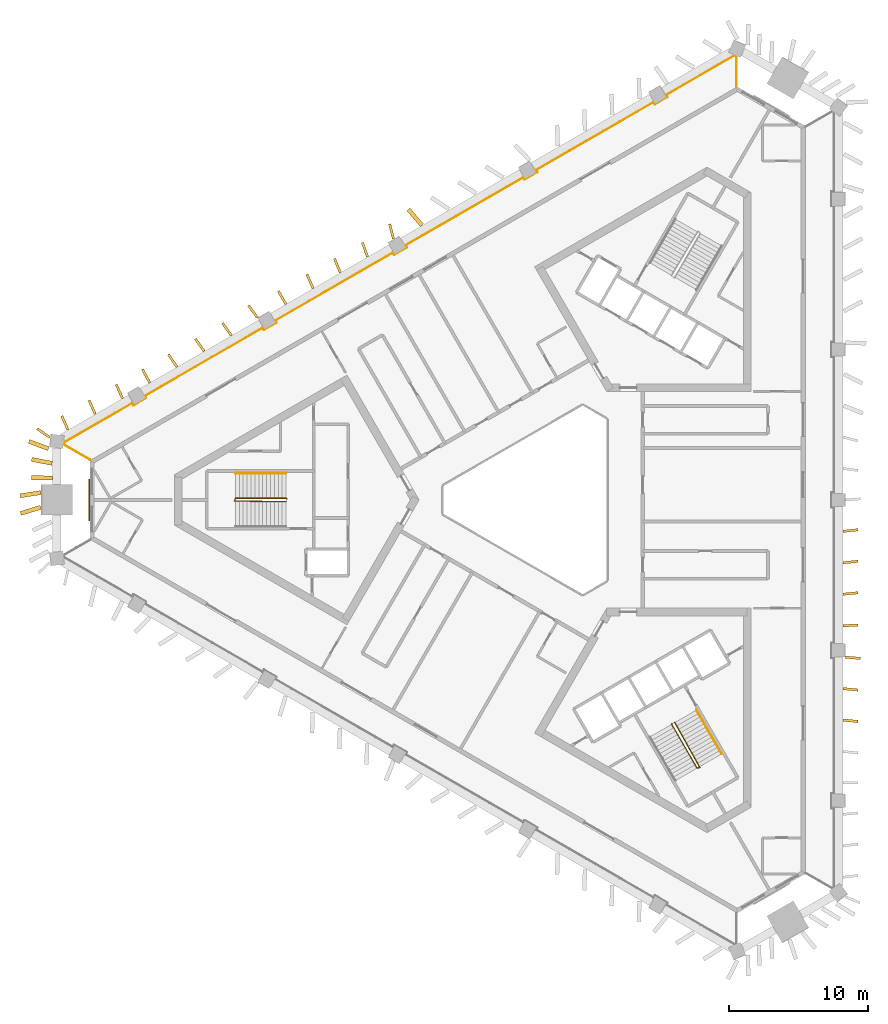
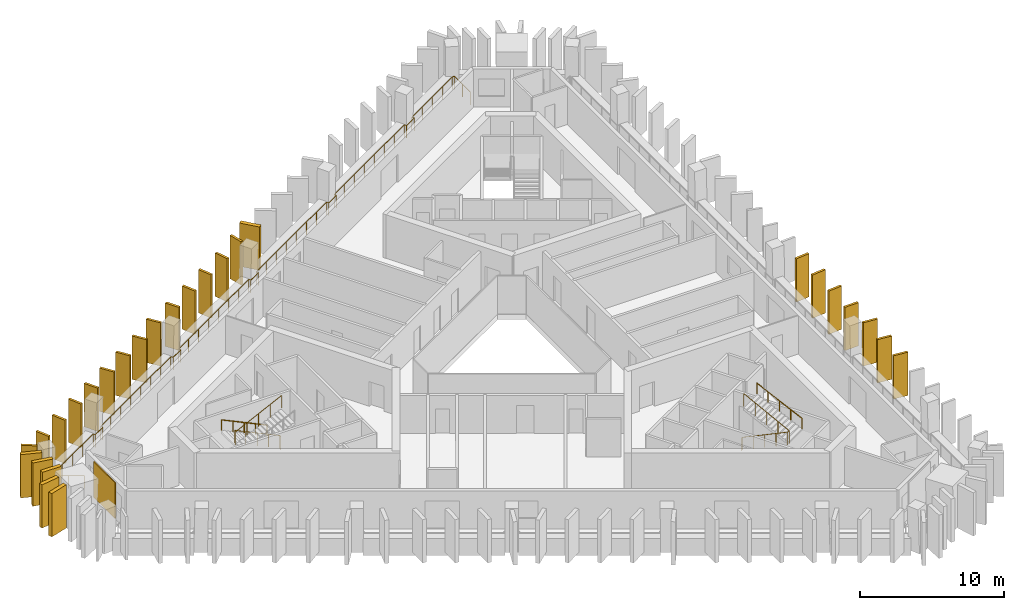
# One storey, part 8 of 9: 27 shading devices, 5 railings, 1 covering.
"""IFC4 building model written with IfcOpenShell, lengths in metres."""

from ifc_helpers import new_model, si_unit, direction, frame, frame_2d, origin, origin_2d, place, context, subcontext, project, spatial, rectangle, circle, extrude, material, layer, layer_set, type_object, element, save


model = new_model("IFC4")

# Units and contexts
model_context = context("Model", 3, precision=1e-05, world=origin(), true_north=direction((0.0, 1.0)))
body_context = subcontext(model_context, "Body", "Model", "MODEL_VIEW")
ifc_project = project(units=[si_unit("LENGTHUNIT", "METRE"), si_unit("AREAUNIT", "SQUARE_METRE"), si_unit("VOLUMEUNIT", "CUBIC_METRE"), si_unit("PLANEANGLEUNIT", "RADIAN"), si_unit("MASSUNIT", "GRAM", prefix="KILO")], contexts=[model_context])

# Site, building, storey
site_placement = place(None, origin())
site = spatial("IfcSite", under=ifc_project, at=site_placement, CompositionType="ELEMENT")
building_placement = place(site_placement, origin())
building = spatial("IfcBuilding", under=site, at=building_placement, Name="Jabali Bay Hotel Tower and Convention Centre", CompositionType="ELEMENT")
storey_placement = place(building_placement, frame((0.0, 0.0, 171.10009765625)))
storey = spatial("IfcBuildingStorey", under=building, at=storey_placement, Name="L41", CompositionType="ELEMENT", Elevation=171.10009765625)

# Railing
ifc_material_1 = material(Name="Glass", Category="glass")
railing_type_1 = type_object("IfcRailingType", Name="Loggia glass guard 1100", PredefinedType="BALUSTRADE", material=ifc_material_1)
railing_1_placement = place(storey_placement, frame((42.299560546875, 82.88818359375, 0.0)))
element("IfcRailing", 1, at=railing_1_placement, inside=storey, type_object=railing_type_1, Name="Loggia glass guard L41", PredefinedType="BALUSTRADE", context=body_context, shape_type="SweptSolid", body=[
    extrude(circle(Radius=0.02490234375, at=origin_2d()), frame((0.0, 0.0, 1.0751953125), z_axis=(-0.866055796367, 0.499947354807, 0.0), x_axis=(-0.495670235881, -0.858646568971, 0.13052619222)), (0.0, 0.0, 1.0), 2.192626953125),
    extrude(circle(Radius=0.02490234375, at=origin_2d()), frame((-1.89892578125, 1.09619140625, 1.0751953125), z_axis=(0.119754511869, 0.992803533881, 0.0), x_axis=(-0.98430996202, 0.118729995419, 0.13052619222)), (0.0, 0.0, 1.0), 0.12646484375),
    extrude(circle(Radius=0.02490234375, at=origin_2d()), frame((-1.8837890625, 1.2216796875, 1.0751953125), z_axis=(0.866036526926, 0.49998073366, 0.0), x_axis=(-0.495703329173, 0.858627464382, 0.13052619222)), (0.0, 0.0, 1.0), 5.700439453125),
    extrude(circle(Radius=0.02490234375, at=origin_2d()), frame((3.052978515625, 4.07177734375, 1.0751953125), z_axis=(0.499440622861, -0.866348119543, 0.0), x_axis=(0.858936391282, 0.495167839097, 0.13052619222)), (0.0, 0.0, 1.0), 0.175048828125),
    extrude(circle(Radius=0.02490234375, at=origin_2d()), frame((3.140380859375, 3.920166015625, 1.0751953125), z_axis=(0.865988129768, 0.500064554934, 0.0), x_axis=(-0.495786433345, 0.858579481269, 0.13052619222)), (0.0, 0.0, 1.0), 1.050048828125),
    extrude(circle(Radius=0.02490234375, at=origin_2d()), frame((4.0498046875, 4.4453125, 1.0751953125), z_axis=(-0.500486622847, 0.865744269604, 0.0), x_axis=(-0.858337707362, -0.496204890408, 0.13052619222)), (0.0, 0.0, 1.0), 0.175048828125),
    extrude(circle(Radius=0.02490234375, at=origin_2d()), frame((3.962158203125, 4.596923828125, 1.0751953125), z_axis=(0.866029781282, 0.499992417876, 0.0), x_axis=(-0.495714913429, 0.858620776448, 0.13052619222)), (0.0, 0.0, 1.0), 9.785400390625),
    extrude(circle(Radius=0.02490234375, at=origin_2d()), frame((12.4365234375, 9.489501953125, 1.0751953125), z_axis=(0.499440622861, -0.866348119543, 0.0), x_axis=(0.858936391282, 0.495167839097, 0.13052619222)), (0.0, 0.0, 1.0), 0.175048828125),
    extrude(circle(Radius=0.02490234375, at=origin_2d()), frame((12.52392578125, 9.337890625, 1.0751953125), z_axis=(0.865988129768, 0.500064554934, 0.0), x_axis=(-0.495786433345, 0.858579481269, 0.13052619222)), (0.0, 0.0, 1.0), 1.050048828125),
    extrude(circle(Radius=0.02490234375, at=origin_2d()), frame((13.433349609375, 9.863037109375, 1.0751953125), z_axis=(-0.501091290591, 0.865394429433, 0.0), x_axis=(-0.857990860123, -0.496804385136, 0.13052619222)), (0.0, 0.0, 1.0), 0.1748046875),
    extrude(circle(Radius=0.02490234375, at=origin_2d()), frame((13.345703125, 10.014404296875, 1.0751953125), z_axis=(0.866018977777, 0.500011130006, 0.0), x_axis=(-0.495733465474, 0.858610065369, 0.13052619222)), (0.0, 0.0, 1.0), 9.785400390625),
    extrude(circle(Radius=0.02490234375, at=origin_2d()), frame((21.820068359375, 14.9072265625, 1.0751953125), z_axis=(0.500486622847, -0.865744269604, 0.0), x_axis=(0.858337707362, 0.496204890408, 0.13052619222)), (0.0, 0.0, 1.0), 0.175048828125),
    extrude(circle(Radius=0.02490234375, at=origin_2d()), frame((21.90771484375, 14.755615234375, 1.0751953125), z_axis=(0.866030680601, 0.499990860175, 0.0), x_axis=(-0.495713369054, 0.858621668074, 0.13052619222)), (0.0, 0.0, 1.0), 1.0498046875),
    extrude(circle(Radius=0.02490234375, at=origin_2d()), frame((22.81689453125, 15.280517578125, 1.0751953125), z_axis=(-0.499440622861, 0.866348119543, 0.0), x_axis=(-0.858936391282, -0.495167839097, 0.13052619222)), (0.0, 0.0, 1.0), 0.175048828125),
    extrude(circle(Radius=0.02490234375, at=origin_2d()), frame((22.7294921875, 15.43212890625, 1.0751953125), z_axis=(0.866023543838, 0.500003221507, 0.0), x_axis=(-0.495725624634, 0.858614592367, 0.13052619222)), (0.0, 0.0, 1.0), 9.78515625),
    extrude(circle(Radius=0.02490234375, at=origin_2d()), frame((31.20361328125, 20.32470703125, 1.0751953125), z_axis=(0.500486622847, -0.865744269604, 0.0), x_axis=(0.858337707362, 0.496204890408, 0.13052619222)), (0.0, 0.0, 1.0), 0.175048828125),
    extrude(circle(Radius=0.02490234375, at=origin_2d()), frame((31.291259765625, 20.173095703125, 1.0751953125), z_axis=(0.86592997719, 0.500165247297, 0.0), x_axis=(-0.495886264271, 0.858521826194, 0.13052619222)), (0.0, 0.0, 1.0), 1.050048828125),
    extrude(circle(Radius=0.02490234375, at=origin_2d()), frame((32.200439453125, 20.6982421875, 1.0751953125), z_axis=(-0.499440622861, 0.866348119543, 0.0), x_axis=(-0.858936391282, -0.495167839097, 0.13052619222)), (0.0, 0.0, 1.0), 0.175048828125),
    extrude(circle(Radius=0.02490234375, at=origin_2d()), frame((32.113037109375, 20.849853515625, 1.0751953125), z_axis=(0.866029781282, 0.499992417876, 0.0), x_axis=(-0.495714913429, 0.858620776448, 0.13052619222)), (0.0, 0.0, 1.0), 9.785400390625),
    extrude(circle(Radius=0.02490234375, at=origin_2d()), frame((40.58740234375, 25.742431640625, 1.0751953125), z_axis=(0.499440622861, -0.866348119543, 0.0), x_axis=(0.858936391282, 0.495167839097, 0.13052619222)), (0.0, 0.0, 1.0), 0.175048828125),
    extrude(circle(Radius=0.02490234375, at=origin_2d()), frame((40.6748046875, 25.5908203125, 1.0751953125), z_axis=(0.866088799389, 0.499890179513, 0.0), x_axis=(-0.495613549729, 0.858679289647, 0.13052619222)), (0.0, 0.0, 1.0), 1.050048828125),
    extrude(circle(Radius=0.02490234375, at=origin_2d()), frame((41.584228515625, 26.11572265625, 1.0751953125), z_axis=(-0.500486622847, 0.865744269604, 0.0), x_axis=(-0.858337707362, -0.496204890408, 0.13052619222)), (0.0, 0.0, 1.0), 0.175048828125),
    extrude(circle(Radius=0.02490234375, at=origin_2d()), frame((41.49658203125, 26.267333984375, 1.0751953125), z_axis=(0.866017981888, 0.500012854881, 0.0), x_axis=(-0.495735175592, 0.858609078, 0.13052619222)), (0.0, 0.0, 1.0), 5.700439453125),
    extrude(circle(Radius=0.02490234375, at=origin_2d()), frame((46.433349609375, 29.11767578125, 1.0751953125), z_axis=(0.919843258059, -0.392286095349, 0.0), x_axis=(0.388930033422, 0.911973871472, 0.13052619222)), (0.0, 0.0, 1.0), 0.126220703125),
    extrude(circle(Radius=0.02490234375, at=origin_2d()), frame((46.549560546875, 29.068115234375, 1.0751953125), z_axis=(0.0, -1.0, 0.0), x_axis=(0.991444861374, 0.0, 0.13052619222)), (0.0, 0.0, 1.0), 2.19287109375),
    extrude(circle(Radius=0.02001953125, at=origin_2d()), origin(), (0.0, 0.0, 1.0), 1.050048828125),
    extrude(circle(Radius=0.02001953125, at=origin_2d()), frame((-0.949462890625, 0.548095703125, 0.0)), (0.0, 0.0, 1.0), 1.050048828125),
    extrude(circle(Radius=0.02001953125, at=origin_2d()), frame((-1.89892578125, 1.09619140625, 0.0)), (0.0, 0.0, 1.0), 1.050048828125),
    extrude(circle(Radius=0.02001953125, at=origin_2d()), frame((-1.8837890625, 1.2216796875, 0.0)), (0.0, 0.0, 1.0), 1.050048828125),
    extrude(circle(Radius=0.02001953125, at=origin_2d()), frame((-0.649658203125, 1.93408203125, 0.0)), (0.0, 0.0, 1.0), 1.050048828125),
    extrude(circle(Radius=0.02001953125, at=origin_2d()), frame((0.58447265625, 2.646728515625, 0.0)), (0.0, 0.0, 1.0), 1.050048828125),
    extrude(circle(Radius=0.02001953125, at=origin_2d()), frame((1.81884765625, 3.359375, 0.0)), (0.0, 0.0, 1.0), 1.050048828125),
    extrude(circle(Radius=0.02001953125, at=origin_2d()), frame((3.052978515625, 4.07177734375, 0.0)), (0.0, 0.0, 1.0), 1.050048828125),
    extrude(circle(Radius=0.02001953125, at=origin_2d()), frame((3.140380859375, 3.920166015625, 0.0)), (0.0, 0.0, 1.0), 1.050048828125),
    extrude(circle(Radius=0.02001953125, at=origin_2d()), frame((4.0498046875, 4.4453125, 0.0)), (0.0, 0.0, 1.0), 1.050048828125),
    extrude(circle(Radius=0.02001953125, at=origin_2d()), frame((3.962158203125, 4.596923828125, 0.0)), (0.0, 0.0, 1.0), 1.050048828125),
    extrude(circle(Radius=0.02001953125, at=origin_2d()), frame((5.1728515625, 5.2958984375, 0.0)), (0.0, 0.0, 1.0), 1.050048828125),
    extrude(circle(Radius=0.02001953125, at=origin_2d()), frame((6.38330078125, 5.994873046875, 0.0)), (0.0, 0.0, 1.0), 1.050048828125),
    extrude(circle(Radius=0.02001953125, at=origin_2d()), frame((7.593994140625, 6.69384765625, 0.0)), (0.0, 0.0, 1.0), 1.050048828125),
    extrude(circle(Radius=0.02001953125, at=origin_2d()), frame((8.8046875, 7.392578125, 0.0)), (0.0, 0.0, 1.0), 1.050048828125),
    extrude(circle(Radius=0.02001953125, at=origin_2d()), frame((10.015380859375, 8.091552734375, 0.0)), (0.0, 0.0, 1.0), 1.050048828125),
    extrude(circle(Radius=0.02001953125, at=origin_2d()), frame((11.225830078125, 8.79052734375, 0.0)), (0.0, 0.0, 1.0), 1.050048828125),
    extrude(circle(Radius=0.02001953125, at=origin_2d()), frame((12.4365234375, 9.489501953125, 0.0)), (0.0, 0.0, 1.0), 1.050048828125),
    extrude(circle(Radius=0.02001953125, at=origin_2d()), frame((12.52392578125, 9.337890625, 0.0)), (0.0, 0.0, 1.0), 1.050048828125),
    extrude(circle(Radius=0.02001953125, at=origin_2d()), frame((13.433349609375, 9.863037109375, 0.0)), (0.0, 0.0, 1.0), 1.050048828125),
    extrude(circle(Radius=0.02001953125, at=origin_2d()), frame((13.345703125, 10.014404296875, 0.0)), (0.0, 0.0, 1.0), 1.050048828125),
    extrude(circle(Radius=0.02001953125, at=origin_2d()), frame((14.556396484375, 10.71337890625, 0.0)), (0.0, 0.0, 1.0), 1.050048828125),
    extrude(circle(Radius=0.02001953125, at=origin_2d()), frame((15.766845703125, 11.412353515625, 0.0)), (0.0, 0.0, 1.0), 1.050048828125),
    extrude(circle(Radius=0.02001953125, at=origin_2d()), frame((16.9775390625, 12.111328125, 0.0)), (0.0, 0.0, 1.0), 1.050048828125),
    extrude(circle(Radius=0.02001953125, at=origin_2d()), frame((18.188232421875, 12.810302734375, 0.0)), (0.0, 0.0, 1.0), 1.050048828125),
    extrude(circle(Radius=0.02001953125, at=origin_2d()), frame((19.39892578125, 13.50927734375, 0.0)), (0.0, 0.0, 1.0), 1.050048828125),
    extrude(circle(Radius=0.02001953125, at=origin_2d()), frame((20.609375, 14.208251953125, 0.0)), (0.0, 0.0, 1.0), 1.050048828125),
    extrude(circle(Radius=0.02001953125, at=origin_2d()), frame((21.820068359375, 14.9072265625, 0.0)), (0.0, 0.0, 1.0), 1.050048828125),
    extrude(circle(Radius=0.02001953125, at=origin_2d()), frame((21.90771484375, 14.755615234375, 0.0)), (0.0, 0.0, 1.0), 1.050048828125),
    extrude(circle(Radius=0.02001953125, at=origin_2d()), frame((22.81689453125, 15.280517578125, 0.0)), (0.0, 0.0, 1.0), 1.050048828125),
    extrude(circle(Radius=0.02001953125, at=origin_2d()), frame((22.7294921875, 15.43212890625, 0.0)), (0.0, 0.0, 1.0), 1.050048828125),
    extrude(circle(Radius=0.02001953125, at=origin_2d()), frame((23.940185546875, 16.131103515625, 0.0)), (0.0, 0.0, 1.0), 1.050048828125),
    extrude(circle(Radius=0.02001953125, at=origin_2d()), frame((25.150634765625, 16.830078125, 0.0)), (0.0, 0.0, 1.0), 1.050048828125),
    extrude(circle(Radius=0.02001953125, at=origin_2d()), frame((26.361328125, 17.529052734375, 0.0)), (0.0, 0.0, 1.0), 1.050048828125),
    extrude(circle(Radius=0.02001953125, at=origin_2d()), frame((27.57177734375, 18.227783203125, 0.0)), (0.0, 0.0, 1.0), 1.050048828125),
    extrude(circle(Radius=0.02001953125, at=origin_2d()), frame((28.782470703125, 18.9267578125, 0.0)), (0.0, 0.0, 1.0), 1.050048828125),
    extrude(circle(Radius=0.02001953125, at=origin_2d()), frame((29.992919921875, 19.625732421875, 0.0)), (0.0, 0.0, 1.0), 1.050048828125),
    extrude(circle(Radius=0.02001953125, at=origin_2d()), frame((31.20361328125, 20.32470703125, 0.0)), (0.0, 0.0, 1.0), 1.050048828125),
    extrude(circle(Radius=0.02001953125, at=origin_2d()), frame((31.291259765625, 20.173095703125, 0.0)), (0.0, 0.0, 1.0), 1.050048828125),
    extrude(circle(Radius=0.02001953125, at=origin_2d()), frame((32.200439453125, 20.6982421875, 0.0)), (0.0, 0.0, 1.0), 1.050048828125),
    extrude(circle(Radius=0.02001953125, at=origin_2d()), frame((32.113037109375, 20.849853515625, 0.0)), (0.0, 0.0, 1.0), 1.050048828125),
    extrude(circle(Radius=0.02001953125, at=origin_2d()), frame((33.32373046875, 21.548828125, 0.0)), (0.0, 0.0, 1.0), 1.050048828125),
    extrude(circle(Radius=0.02001953125, at=origin_2d()), frame((34.5341796875, 22.247802734375, 0.0)), (0.0, 0.0, 1.0), 1.050048828125),
    extrude(circle(Radius=0.02001953125, at=origin_2d()), frame((35.744873046875, 22.94677734375, 0.0)), (0.0, 0.0, 1.0), 1.050048828125),
    extrude(circle(Radius=0.02001953125, at=origin_2d()), frame((36.95556640625, 23.6455078125, 0.0)), (0.0, 0.0, 1.0), 1.050048828125),
    extrude(circle(Radius=0.02001953125, at=origin_2d()), frame((38.166259765625, 24.344482421875, 0.0)), (0.0, 0.0, 1.0), 1.050048828125),
    extrude(circle(Radius=0.02001953125, at=origin_2d()), frame((39.376708984375, 25.04345703125, 0.0)), (0.0, 0.0, 1.0), 1.050048828125),
    extrude(circle(Radius=0.02001953125, at=origin_2d()), frame((40.58740234375, 25.742431640625, 0.0)), (0.0, 0.0, 1.0), 1.050048828125),
    extrude(circle(Radius=0.02001953125, at=origin_2d()), frame((40.6748046875, 25.5908203125, 0.0)), (0.0, 0.0, 1.0), 1.050048828125),
    extrude(circle(Radius=0.02001953125, at=origin_2d()), frame((41.584228515625, 26.11572265625, 0.0)), (0.0, 0.0, 1.0), 1.050048828125),
    extrude(circle(Radius=0.02001953125, at=origin_2d()), frame((41.49658203125, 26.267333984375, 0.0)), (0.0, 0.0, 1.0), 1.050048828125),
    extrude(circle(Radius=0.02001953125, at=origin_2d()), frame((42.730712890625, 26.97998046875, 0.0)), (0.0, 0.0, 1.0), 1.050048828125),
    extrude(circle(Radius=0.02001953125, at=origin_2d()), frame((43.96484375, 27.6923828125, 0.0)), (0.0, 0.0, 1.0), 1.050048828125),
    extrude(circle(Radius=0.02001953125, at=origin_2d()), frame((45.19921875, 28.405029296875, 0.0)), (0.0, 0.0, 1.0), 1.050048828125),
    extrude(circle(Radius=0.02001953125, at=origin_2d()), frame((46.433349609375, 29.11767578125, 0.0)), (0.0, 0.0, 1.0), 1.050048828125),
    extrude(circle(Radius=0.02001953125, at=origin_2d()), frame((46.549560546875, 29.068115234375, 0.0)), (0.0, 0.0, 1.0), 1.050048828125),
    extrude(circle(Radius=0.02001953125, at=origin_2d()), frame((46.549560546875, 27.9716796875, 0.0)), (0.0, 0.0, 1.0), 1.050048828125),
    extrude(circle(Radius=0.02001953125, at=origin_2d()), frame((46.549560546875, 26.875244140625, 0.0)), (0.0, 0.0, 1.0), 1.050048828125),
])

# Shading devices
ifc_material_2 = material(Name="Precast concrete C60", Category="concrete")
ifc_layer_1 = layer(ifc_material_2, 0.179931640625)
ifc_layer_set_1 = layer_set([ifc_layer_1], Name="Precast concrete C60")
shading_device_type_1 = type_object("IfcShadingDeviceType", Name="Precast fin 3680 x 1100", PredefinedType="USERDEFINED", material=ifc_layer_set_1)
for number, where, z_axis, x_axis, name in (
    (2, (96.502685546875, 64.15771484375, 0.010009765625), (0.0, 0.0, 1.0), (0.995087609246, -0.098998231926, 0.0), "Fin L41 005"),
    (3, (96.502685546875, 66.4208984375, 0.010009765625), (0.0, 0.0, 1.0), (0.995087609246, -0.098998231926, 0.0), "Fin L41 006"),
):
    element("IfcShadingDevice", number, at=place(storey_placement, frame(where, z_axis=z_axis, x_axis=x_axis)), inside=storey, type_object=shading_device_type_1, Name=name, ObjectType="FIN", PredefinedType="USERDEFINED", context=body_context, shape_type="SweptSolid", body=[
        extrude(rectangle(XDim=1.099853515625, YDim=0.179931640625, at=frame_2d((0.5498046875, 0.0))), origin(), (0.0, 0.0, 1.0), 3.679931640625),
    ])
shading_device_1_placement = place(storey_placement, frame((96.67578125, 68.68408203125, 0.010009765625), z_axis=(0.0, 0.0, 1.0), x_axis=(0.996512002617, -0.083449557457, 0.0)))
element("IfcShadingDevice", 4, at=shading_device_1_placement, inside=storey, type_object=shading_device_type_1, Name="Fin L41 007", ObjectType="FIN", PredefinedType="USERDEFINED", context=body_context, shape_type="SweptSolid", body=[
    extrude(rectangle(XDim=1.10009765625, YDim=0.179931640625, at=frame_2d((0.550048828125, 0.0))), origin(), (0.0, 0.0, 1.0), 3.679931640625),
])
shading_device_2_placement = place(storey_placement, frame((96.49658203125, 70.947265625, 0.010009765625), z_axis=(0.0, 0.0, 1.0), x_axis=(0.999510125177, 0.031297119176, 0.0)))
element("IfcShadingDevice", 5, at=shading_device_2_placement, inside=storey, type_object=shading_device_type_1, Name="Fin L41 008", ObjectType="FIN", PredefinedType="USERDEFINED", context=body_context, shape_type="SweptSolid", body=[
    extrude(rectangle(XDim=1.099853515625, YDim=0.179931640625, at=frame_2d((0.5498046875, 0.0))), origin(), (0.0, 0.0, 1.0), 3.679931640625),
])
shading_device_3_placement = place(storey_placement, frame((96.502685546875, 73.21044921875, 0.010009765625), z_axis=(0.0, 0.0, 1.0), x_axis=(0.994999762239, 0.099877290432, 0.0)))
element("IfcShadingDevice", 6, at=shading_device_3_placement, inside=storey, type_object=shading_device_type_1, Name="Fin L41 009", ObjectType="FIN", PredefinedType="USERDEFINED", context=body_context, shape_type="SweptSolid", body=[
    extrude(rectangle(XDim=1.10009765625, YDim=0.179931640625, at=frame_2d((0.550048828125, 0.0))), origin(), (0.0, 0.0, 1.0), 3.679931640625),
])
shading_device_4_placement = place(storey_placement, frame((96.5029296875, 75.4736328125, 0.010009765625), z_axis=(0.0, 0.0, 1.0), x_axis=(0.994841916581, 0.101437473422, 0.0)))
element("IfcShadingDevice", 7, at=shading_device_4_placement, inside=storey, type_object=shading_device_type_1, Name="Fin L41 010", ObjectType="FIN", PredefinedType="USERDEFINED", context=body_context, shape_type="SweptSolid", body=[
    extrude(rectangle(XDim=1.099853515625, YDim=0.179931640625, at=frame_2d((0.5498046875, 0.0))), origin(), (0.0, 0.0, 1.0), 3.679931640625),
])
for number, where, z_axis, x_axis, name in (
    (8, (96.503173828125, 77.73681640625, 0.010009765625), (0.0, 0.0, 1.0), (0.994358576438, 0.1060708323, 0.0), "Fin L41 011"),
    (9, (64.149658203125, 98.79345703125, 0.010009765625), (0.0, 0.0, 1.0), (-0.243214351968, 0.969972566105, 0.0), "Fin L41 045"),
):
    element("IfcShadingDevice", number, at=place(storey_placement, frame(where, z_axis=z_axis, x_axis=x_axis)), inside=storey, type_object=shading_device_type_1, Name=name, ObjectType="FIN", PredefinedType="USERDEFINED", context=body_context, shape_type="SweptSolid", body=[
        extrude(rectangle(XDim=1.10009765625, YDim=0.179931640625, at=frame_2d((0.550048828125, 0.0))), origin(), (0.0, 0.0, 1.0), 3.679931640625),
    ])
shading_device_5_placement = place(storey_placement, frame((62.284912109375, 97.49658203125, 0.010009765625), z_axis=(0.0, 0.0, 1.0), x_axis=(-0.334943982563, 0.942238042399, 0.0)))
element("IfcShadingDevice", 10, at=shading_device_5_placement, inside=storey, type_object=shading_device_type_1, Name="Fin L41 046", ObjectType="FIN", PredefinedType="USERDEFINED", context=body_context, shape_type="SweptSolid", body=[
    extrude(rectangle(XDim=1.099853515625, YDim=0.179931640625, at=frame_2d((0.5498046875, 0.0))), origin(), (0.0, 0.0, 1.0), 3.679931640625),
])
for number, where, z_axis, x_axis, name in (
    (11, (60.327392578125, 96.36083984375, 0.010009765625), (0.0, 0.0, 1.0), (-0.385922895703, 0.922531039354, 0.0), "Fin L41 047"),
    (12, (58.368408203125, 95.227783203125, 0.010009765625), (0.0, 0.0, 1.0), (-0.40327406947, 0.915079245144, 0.0), "Fin L41 048"),
    (13, (56.4130859375, 94.087890625, 0.010009765625), (0.0, 0.0, 1.0), (-0.502269371339, 0.864711211107, 0.0), "Fin L41 049"),
):
    element("IfcShadingDevice", number, at=place(storey_placement, frame(where, z_axis=z_axis, x_axis=x_axis)), inside=storey, type_object=shading_device_type_1, Name=name, ObjectType="FIN", PredefinedType="USERDEFINED", context=body_context, shape_type="SweptSolid", body=[
        extrude(rectangle(XDim=1.10009765625, YDim=0.179931640625, at=frame_2d((0.550048828125, 0.0))), origin(), (0.0, 0.0, 1.0), 3.679931640625),
    ])
shading_device_6_placement = place(storey_placement, frame((54.3623046875, 93.11376953125, 0.010009765625), z_axis=(0.0, 0.0, 1.0), x_axis=(-0.584404121175, 0.811462767571, 0.0)))
element("IfcShadingDevice", 14, at=shading_device_6_placement, inside=storey, type_object=shading_device_type_1, Name="Fin L41 050", ObjectType="FIN", PredefinedType="USERDEFINED", context=body_context, shape_type="SweptSolid", body=[
    extrude(rectangle(XDim=1.099853515625, YDim=0.179931640625, at=frame_2d((0.5498046875, 0.0))), origin(), (0.0, 0.0, 1.0), 3.679931640625),
])
for number, where, z_axis, x_axis, name in (
    (15, (52.48876953125, 91.832275390625, 0.010009765625), (0.0, 0.0, 1.0), (-0.583503414165, 0.812110685595, 0.0), "Fin L41 051"),
    (16, (50.52880859375, 90.70068359375, 0.010009765625), (0.0, 0.0, 1.0), (-0.583251843698, 0.812291380493, 0.0), "Fin L41 052"),
    (17, (48.570068359375, 89.56689453125, 0.010009765625), (0.0, 0.0, 1.0), (-0.561034601323, 0.827792350845, 0.0), "Fin L41 053"),
    (18, (46.6123046875, 88.431640625, 0.010009765625), (0.0, 0.0, 1.0), (-0.479147539456, 0.877734376354, 0.0), "Fin L41 054"),
    (19, (44.64892578125, 87.305908203125, 0.010009765625), (0.0, 0.0, 1.0), (-0.411711599692, 0.911314193173, 0.0), "Fin L41 055"),
    (20, (42.68896484375, 86.17431640625, 0.010009765625), (0.0, 0.0, 1.0), (-0.411259632718, 0.911518246936, 0.0), "Fin L41 056"),
    (21, (40.72900390625, 85.04296875, 0.010009765625), (0.0, 0.0, 1.0), (-0.410355449294, 0.911925657734, 0.0), "Fin L41 057"),
):
    element("IfcShadingDevice", number, at=place(storey_placement, frame(where, z_axis=z_axis, x_axis=x_axis)), inside=storey, type_object=shading_device_type_1, Name=name, ObjectType="FIN", PredefinedType="USERDEFINED", context=body_context, shape_type="SweptSolid", body=[
        extrude(rectangle(XDim=1.10009765625, YDim=0.179931640625, at=frame_2d((0.550048828125, 0.0))), origin(), (0.0, 0.0, 1.0), 3.679931640625),
    ])
shading_device_7_placement = place(storey_placement, frame((39.412353515625, 84.497314453125, 0.010009765625), z_axis=(0.0, 0.0, 1.0), x_axis=(-0.818490761948, 0.574519688614, 0.0)))
element("IfcShadingDevice", 22, at=shading_device_7_placement, inside=storey, type_object=shading_device_type_1, Name="Fin L41 102", ObjectType="FIN", PredefinedType="USERDEFINED", context=body_context, shape_type="SweptSolid", body=[
    extrude(rectangle(XDim=1.099853515625, YDim=0.179931640625, at=frame_2d((0.5498046875, 0.0))), origin(), (0.0, 0.0, 1.0), 3.679931640625),
])
ifc_layer_2 = layer(ifc_material_2, 0.300048828125)
ifc_layer_set_2 = layer_set([ifc_layer_2], Name="Precast concrete C60")
shading_device_type_2 = type_object("IfcShadingDeviceType", Name="Precast fin 3680 x 1500", PredefinedType="USERDEFINED", material=ifc_layer_set_2)
for number, where, z_axis, x_axis, name in (
    (23, (66.199462890625, 99.76904296875, 0.010009765625), (0.0, 0.0, 1.0), (-0.647837396648, 0.761778647315, 0.0), "Fin L41 044"),
    (24, (39.323486328125, 83.68896484375, 0.010009765625), (0.0, 0.0, 1.0), (-0.938820189044, 0.344407683775, 0.0), "Fin L41 058"),
    (25, (39.5849609375, 82.635009765625, 0.010009765625), (0.0, 0.0, 1.0), (-0.982633665845, 0.185556133686, 0.0), "Fin L41 059"),
    (26, (39.61083984375, 81.5810546875, 0.010009765625), (0.0, 0.0, 1.0), (-0.999910920321, 0.013347337696, 0.0), "Fin L41 060"),
    (27, (38.77734375, 80.527099609375, 0.010009765625), (0.0, 0.0, 1.0), (-0.988150504633, -0.15348804577, 0.0), "Fin L41 061"),
    (28, (38.755615234375, 79.472900390625, 0.010009765625), (0.0, 0.0, 1.0), (-0.954610213882, -0.297857918398, 0.0), "Fin L41 062"),
):
    element("IfcShadingDevice", number, at=place(storey_placement, frame(where, z_axis=z_axis, x_axis=x_axis)), inside=storey, type_object=shading_device_type_2, Name=name, ObjectType="FIN", PredefinedType="USERDEFINED", context=body_context, shape_type="SweptSolid", body=[
        extrude(rectangle(XDim=1.5, YDim=0.300048828125, at=frame_2d((0.75, 0.0))), origin(), (0.0, 0.0, 1.0), 3.679931640625),
    ])

# Covering
ifc_material_3 = material(Name="Precast concrete C40/50", Category="concrete")
ifc_layer_3 = layer(ifc_material_3, 0.080078125)
ifc_layer_set_3 = layer_set([ifc_layer_3], Name="Precast concrete C40/50")
covering_type = type_object("IfcCoveringType", Name="Relief panel 3000 x 3050", PredefinedType="CLADDING", material=ifc_layer_set_3)
covering_placement = place(storey_placement, frame((42.259521484375, 80.0, 0.10009765625), z_axis=(0.0, 0.0, 1.0), x_axis=(0.0, 1.0, 0.0)))
element("IfcCovering", 29, at=covering_placement, inside=storey, type_object=covering_type, Name="Relief panel L41", PredefinedType="CLADDING", context=body_context, shape_type="SweptSolid", body=[
    extrude(rectangle(XDim=3.0, YDim=0.080078125, at=origin_2d()), origin(), (0.0, 0.0, 1.0), 3.050048828125),
])

# Railings
ifc_material_4 = material(Name="Steel Q355B", Category="steel")
railing_type_2 = type_object("IfcRailingType", Name="Stair guard 1100", PredefinedType="GUARDRAIL", material=ifc_material_4)
railing_2_placement = place(storey_placement, frame((56.469970703125, 80.074951171875, 0.0)))
element("IfcRailing", 30, at=railing_2_placement, inside=storey, type_object=railing_type_2, Name="L41 ST1 stair guard 1", PredefinedType="GUARDRAIL", context=body_context, shape_type="SweptSolid", body=[
    extrude(circle(Radius=0.02392578125, at=origin_2d()), frame((0.0, 0.0, 1.076171875), z_axis=(-0.333993628408, 0.333993628408, 0.881417331555), x_axis=(-0.707106781187, -0.707106781187, 0.0)), (0.0, 0.0, 1.0), 0.14990234375),
    extrude(circle(Radius=0.02392578125, at=origin_2d()), frame((-0.050048828125, 0.050048828125, 1.2080078125), z_axis=(-0.904350763662, 0.0, 0.426789990819), x_axis=(0.0, -1.0, 0.0)), (0.0, 0.0, 1.0), 4.02490234375),
    extrude(circle(Radius=0.02392578125, at=origin_2d()), frame((-3.68994140625, 0.050048828125, 2.92578125), z_axis=(-0.242814311512, -0.970072785993, 0.0), x_axis=(0.970072785993, -0.242814311512, 0.0)), (0.0, 0.0, 1.0), 0.2060546875),
    extrude(circle(Radius=0.02392578125, at=origin_2d()), frame((-3.739990234375, -0.14990234375, 2.92578125), z_axis=(0.893864111827, -0.012124000458, 0.448174026692), x_axis=(0.013562335953, 0.999908027292, 0.0)), (0.0, 0.0, 1.0), 4.128173828125),
    extrude(circle(Radius=0.02099609375, at=origin_2d()), origin(), (0.0, 0.0, 1.0), 1.052001953125),
    extrude(circle(Radius=0.02099609375, at=origin_2d()), frame((-0.050048828125, 0.050048828125, 0.132080078125)), (0.0, 0.0, 1.0), 1.052001953125),
    extrude(circle(Radius=0.02099609375, at=origin_2d()), frame((-0.9599609375, 0.050048828125, 0.5615234375)), (0.0, 0.0, 1.0), 1.052001953125),
    extrude(circle(Radius=0.02099609375, at=origin_2d()), frame((-1.8701171875, 0.050048828125, 0.990966796875)), (0.0, 0.0, 1.0), 1.052001953125),
    extrude(circle(Radius=0.02099609375, at=origin_2d()), frame((-2.780029296875, 0.050048828125, 1.42041015625)), (0.0, 0.0, 1.0), 1.052001953125),
    extrude(circle(Radius=0.02099609375, at=origin_2d()), frame((-3.68994140625, 0.050048828125, 1.849853515625)), (0.0, 0.0, 1.0), 1.052001953125),
    extrude(circle(Radius=0.02099609375, at=origin_2d()), frame((-3.739990234375, -0.14990234375, 1.849853515625)), (0.0, 0.0, 1.0), 1.052001953125),
    extrude(circle(Radius=0.02099609375, at=origin_2d()), frame((-2.8173828125, -0.162353515625, 2.3125)), (0.0, 0.0, 1.0), 1.052001953125),
    extrude(circle(Radius=0.02099609375, at=origin_2d()), frame((-1.89501953125, -0.1748046875, 2.77490234375)), (0.0, 0.0, 1.0), 1.052001953125),
    extrude(circle(Radius=0.02099609375, at=origin_2d()), frame((-0.97265625, -0.1875, 3.2373046875)), (0.0, 0.0, 1.0), 1.052001953125),
    extrude(circle(Radius=0.02099609375, at=origin_2d()), frame((-0.050048828125, -0.199951171875, 3.699951171875)), (0.0, 0.0, 1.0), 1.052001953125),
])
railing_3_placement = place(storey_placement, frame((84.199951171875, 63.9150390625, 0.0)))
element("IfcRailing", 31, at=railing_3_placement, inside=storey, type_object=railing_type_2, Name="L41 ST3 stair guard 1", PredefinedType="GUARDRAIL", context=body_context, shape_type="SweptSolid", body=[
    extrude(circle(Radius=0.02392578125, at=origin_2d()), frame((0.0, 0.0, 1.076171875), z_axis=(-0.122196845461, -0.456201556387, 0.881446578591), x_axis=(0.965948051503, -0.258736085224, 0.0)), (0.0, 0.0, 1.0), 0.14990234375),
    extrude(circle(Radius=0.02392578125, at=origin_2d()), frame((-0.018310546875, -0.068359375, 1.2080078125), z_axis=(0.452190331055, -0.783190014029, 0.426775475427), x_axis=(0.866018046521, 0.500012742938, 0.0)), (0.0, 0.0, 1.0), 4.02490234375),
    extrude(circle(Radius=0.02392578125, at=origin_2d()), frame((1.8017578125, -3.220703125, 2.92578125), z_axis=(0.96121063429, 0.275815366736, 0.0), x_axis=(-0.275815366736, 0.96121063429, 0.0)), (0.0, 0.0, 1.0), 0.206298828125),
    extrude(circle(Radius=0.02392578125, at=origin_2d()), frame((2.0, -3.163818359375, 2.92578125), z_axis=(-0.436470229993, 0.780146179382, 0.448180406895), x_axis=(-0.872702246529, -0.488252792008, 0.0)), (0.0, 0.0, 1.0), 4.1279296875),
    extrude(circle(Radius=0.02099609375, at=origin_2d()), origin(), (0.0, 0.0, 1.0), 1.052001953125),
    extrude(circle(Radius=0.02099609375, at=origin_2d()), frame((-0.018310546875, -0.068359375, 0.132080078125)), (0.0, 0.0, 1.0), 1.052001953125),
    extrude(circle(Radius=0.02099609375, at=origin_2d()), frame((0.436767578125, -0.8564453125, 0.5615234375)), (0.0, 0.0, 1.0), 1.052001953125),
    extrude(circle(Radius=0.02099609375, at=origin_2d()), frame((0.8916015625, -1.64453125, 0.990966796875)), (0.0, 0.0, 1.0), 1.052001953125),
    extrude(circle(Radius=0.02099609375, at=origin_2d()), frame((1.3466796875, -2.4326171875, 1.42041015625)), (0.0, 0.0, 1.0), 1.052001953125),
    extrude(circle(Radius=0.02099609375, at=origin_2d()), frame((1.8017578125, -3.220703125, 1.849853515625)), (0.0, 0.0, 1.0), 1.052001953125),
    extrude(circle(Radius=0.02099609375, at=origin_2d()), frame((2.0, -3.163818359375, 1.849853515625)), (0.0, 0.0, 1.0), 1.052001953125),
    extrude(circle(Radius=0.02099609375, at=origin_2d()), frame((1.549560546875, -2.358642578125, 2.3125)), (0.0, 0.0, 1.0), 1.052001953125),
    extrude(circle(Radius=0.02099609375, at=origin_2d()), frame((1.09912109375, -1.5537109375, 2.77490234375)), (0.0, 0.0, 1.0), 1.052001953125),
    extrude(circle(Radius=0.02099609375, at=origin_2d()), frame((0.648681640625, -0.74853515625, 3.2373046875)), (0.0, 0.0, 1.0), 1.052001953125),
    extrude(circle(Radius=0.02099609375, at=origin_2d()), frame((0.1982421875, 0.056640625, 3.699951171875)), (0.0, 0.0, 1.0), 1.052001953125),
])
railing_type_3 = type_object("IfcRailingType", Name="Stair handrail 900", PredefinedType="HANDRAIL", material=ifc_material_4)
railing_4_placement = place(storey_placement, frame((56.419921875, 81.925048828125, 0.132080078125)))
element("IfcRailing", 32, at=railing_4_placement, inside=storey, type_object=railing_type_3, Name="L41 ST1 stair handrail 1", PredefinedType="HANDRAIL", context=body_context, shape_type="SweptSolid", body=[
    extrude(circle(Radius=0.02392578125, at=origin_2d()), frame((0.0, 0.0, 0.8759765625), z_axis=(-0.904350763662, 0.0, 0.426789990819), x_axis=(0.0, -1.0, 0.0)), (0.0, 0.0, 1.0), 4.02490234375),
    extrude(circle(Radius=0.02099609375, at=origin_2d()), origin(), (0.0, 0.0, 1.0), 0.851806640625),
    extrude(circle(Radius=0.02099609375, at=origin_2d()), frame((-0.909912109375, 0.0, 0.429443359375)), (0.0, 0.0, 1.0), 0.851806640625),
    extrude(circle(Radius=0.02099609375, at=origin_2d()), frame((-1.81982421875, 0.0, 0.85888671875)), (0.0, 0.0, 1.0), 0.851806640625),
    extrude(circle(Radius=0.02099609375, at=origin_2d()), frame((-2.72998046875, 0.0, 1.288330078125)), (0.0, 0.0, 1.0), 0.851806640625),
    extrude(circle(Radius=0.02099609375, at=origin_2d()), frame((-3.639892578125, 0.0, 1.7177734375)), (0.0, 0.0, 1.0), 0.851806640625),
])
railing_5_placement = place(storey_placement, frame((87.777099609375, 61.719482421875, 1.98193359375)))
element("IfcRailing", 33, at=railing_5_placement, inside=storey, type_object=railing_type_3, Name="L41 ST3 stair handrail 2", PredefinedType="HANDRAIL", context=body_context, shape_type="SweptSolid", body=[
    extrude(circle(Radius=0.02392578125, at=origin_2d()), frame((0.0, 0.0, 0.8759765625), z_axis=(-0.45217862506, 0.783169739339, 0.426825081763), x_axis=(-0.866018046521, -0.500012742938, 0.0)), (0.0, 0.0, 1.0), 4.025146484375),
    extrude(circle(Radius=0.02099609375, at=origin_2d()), origin(), (0.0, 0.0, 1.0), 0.851806640625),
    extrude(circle(Radius=0.02099609375, at=origin_2d()), frame((-0.455078125, 0.7880859375, 0.429443359375)), (0.0, 0.0, 1.0), 0.851806640625),
    extrude(circle(Radius=0.02099609375, at=origin_2d()), frame((-0.91015625, 1.576171875, 0.85888671875)), (0.0, 0.0, 1.0), 0.851806640625),
    extrude(circle(Radius=0.02099609375, at=origin_2d()), frame((-1.364990234375, 2.3642578125, 1.28857421875)), (0.0, 0.0, 1.0), 0.851806640625),
    extrude(circle(Radius=0.02099609375, at=origin_2d()), frame((-1.820068359375, 3.15234375, 1.718017578125)), (0.0, 0.0, 1.0), 0.851806640625),
])

save(model, "model.ifc")
